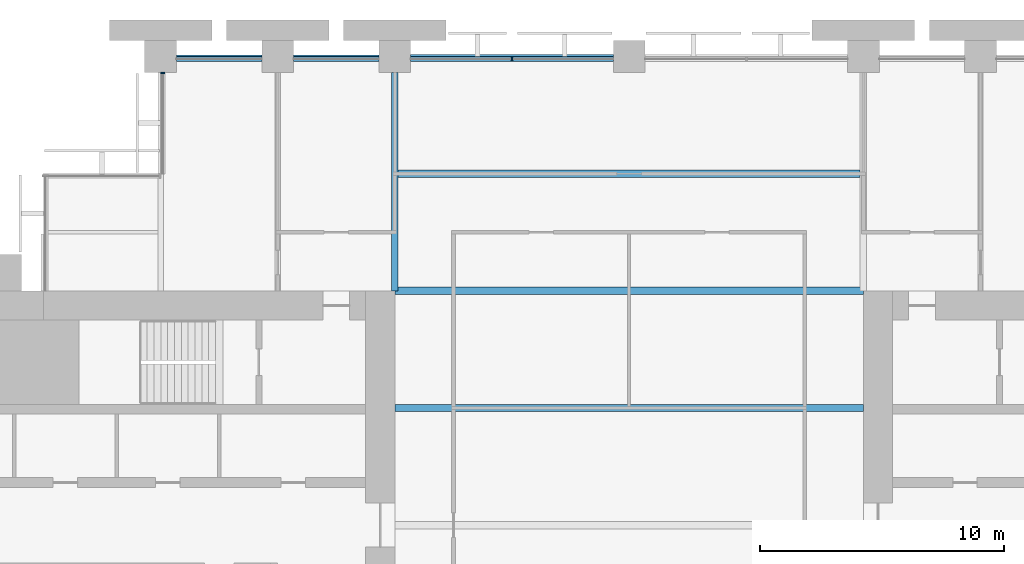
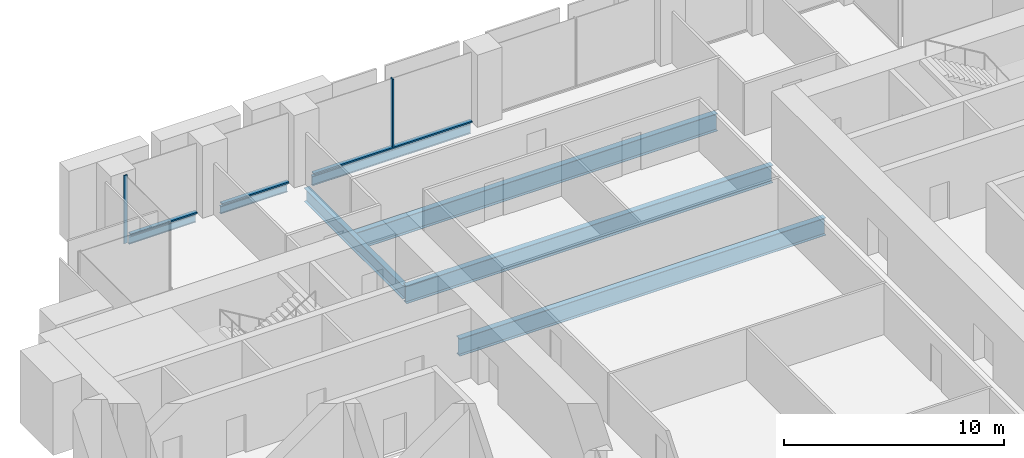
# One storey, part 6 of 14: 7 beams, 5 members, 2 elements without a shape of their own.
"""IFC4 building model written with IfcOpenShell, lengths in metres."""

import ifcopenshell
import ifcopenshell.guid

model = None  # the IFC model being written
_history = None  # IfcOwnerHistory: only IFC2X3 demands one
_inside = {}  # id of a spatial element -> (the spatial element, [elements in it])
_under = {}  # id of a project, library or spatial element -> (it, [spatial elements below it])
_declared = {}  # id of a project -> (the project, [libraries it declares])
_typed = {}  # id of a type object -> (the type object, [elements of that type])
_made_of = {}  # id of a material, layer set ... -> (it, [elements and type objects made of it])


def new_model(schema):
    """Start an empty IFC model of exactly this schema.

    Asked for "IFC4X3", IfcOpenShell would pick the latest addendum, in which some entities
    have other attributes; the version numbers below select the first issue.
    IFC2X3 requires an IfcOwnerHistory on every rooted entity: one is made here for all.
    """
    global model, _history
    if schema == "IFC4X3":
        model = ifcopenshell.file(schema_version=(4, 3, 0, 0))
    else:
        model = ifcopenshell.file(schema=schema)
    _inside.clear()
    _under.clear()
    _declared.clear()
    _typed.clear()
    _made_of.clear()
    _history = None
    if model.schema == "IFC2X3":
        org = make("IfcOrganization", Name="unknown")
        user = make(
            "IfcPersonAndOrganization",
            ThePerson=make("IfcPerson", FamilyName="unknown"),
            TheOrganization=org,
        )
        app = make(
            "IfcApplication",
            ApplicationDeveloper=org,
            Version="unknown",
            ApplicationFullName="unknown",
            ApplicationIdentifier="unknown",
        )
        _history = make(
            "IfcOwnerHistory",
            OwningUser=user,
            OwningApplication=app,
            ChangeAction="ADDED",
            CreationDate=0,
        )
    return model


def make(cls, **values):
    """One entity of the class cls with the attributes given. An attribute that is None is left unset."""
    return model.create_entity(
        cls, **{name: value for name, value in values.items() if value is not None}
    )


def rooted(cls, **values):
    """An entity with a GlobalId (a new one), such as an element, a storey or a relation."""
    return make(cls, GlobalId=ifcopenshell.guid.new(), OwnerHistory=_history, **values)


def si_unit(unit_type, name, prefix=None):
    """IfcSIUnit, for example si_unit("LENGTHUNIT", "METRE", prefix="MILLI")."""
    return make("IfcSIUnit", UnitType=unit_type, Prefix=prefix, Name=name)


def assignment(units):
    """IfcUnitAssignment: the units of a project."""
    return None if units is None else make("IfcUnitAssignment", Units=units)


def point(xyz):
    """IfcCartesianPoint."""
    return None if xyz is None else make("IfcCartesianPoint", Coordinates=xyz)


def direction(xyz):
    """IfcDirection."""
    return None if xyz is None else make("IfcDirection", DirectionRatios=xyz)


def frame(location, z_axis=None, x_axis=None):
    """IfcAxis2Placement3D, a coordinate frame: its origin and axes. An axis left out is left unset."""
    return make(
        "IfcAxis2Placement3D",
        Location=point(location),
        Axis=direction(z_axis),
        RefDirection=direction(x_axis),
    )


def frame_2d(location, x_axis=None):
    """IfcAxis2Placement2D, a coordinate frame in the plane: its origin and x axis."""
    return make(
        "IfcAxis2Placement2D", Location=point(location), RefDirection=direction(x_axis)
    )


def origin():
    """The frame at (0, 0, 0) with its axes left unset."""
    return frame((0.0, 0.0, 0.0))


def origin_2d():
    """The frame at (0, 0) in the plane with its x axis left unset."""
    return frame_2d((0.0, 0.0))


def place(relative_to, where):
    """IfcLocalPlacement: puts the frame where relative to a parent placement (None: the world)."""
    return make(
        "IfcLocalPlacement", PlacementRelTo=relative_to, RelativePlacement=where
    )


def context(
    kind, dimensions, precision=None, world=None, true_north=None, identifier=None
):
    """IfcGeometricRepresentationContext, for example the 3D "Model" context."""
    return make(
        "IfcGeometricRepresentationContext",
        ContextIdentifier=identifier,
        ContextType=kind,
        CoordinateSpaceDimension=dimensions,
        Precision=precision,
        WorldCoordinateSystem=world,
        TrueNorth=true_north,
    )


def subcontext(parent, identifier, kind, view, scale=None):
    """IfcGeometricRepresentationSubContext, for example "Body" below "Model"."""
    return make(
        "IfcGeometricRepresentationSubContext",
        ContextIdentifier=identifier,
        ContextType=kind,
        ParentContext=parent,
        TargetScale=scale,
        TargetView=view,
    )


def project(units=None, contexts=None):
    """IfcProject with its units and contexts."""
    return rooted(
        "IfcProject",
        Name="project",
        RepresentationContexts=contexts,
        UnitsInContext=assignment(units),
    )


def spatial(cls, under=None, at=None, **own):
    """A site, building, storey or space (cls), placed at a placement, below another one or the project."""
    s = rooted(cls, ObjectPlacement=at, **own)
    if under is not None:
        _under.setdefault(under.id(), (under, []))[1].append(s)
    return s


def profile(cls, at=None, kind="AREA", **sizes):
    """A parametric profile (cls). Its sizes go by their IFC names, for example OverallWidth=200.0."""
    return make(cls, ProfileType=kind, Position=at, **sizes)


def rectangle(**sizes):
    """IfcRectangleProfileDef."""
    return profile("IfcRectangleProfileDef", **sizes)


def i_section(**sizes):
    """IfcIShapeProfileDef."""
    return profile("IfcIShapeProfileDef", **sizes)


def extrude(swept, where, along, depth):
    """IfcExtrudedAreaSolid: the profile swept, set in the frame where, extruded along a direction by depth."""
    return make(
        "IfcExtrudedAreaSolid",
        SweptArea=swept,
        Position=where,
        ExtrudedDirection=direction(along),
        Depth=depth,
    )


def shape(context_of_items, identifier, shape_type, items):
    """IfcShapeRepresentation: the items that make up one representation, for example the "Body"."""
    return make(
        "IfcShapeRepresentation",
        ContextOfItems=context_of_items,
        RepresentationIdentifier=identifier,
        RepresentationType=shape_type,
        Items=items,
    )


def material(Name=None, Category=None):
    """IfcMaterial."""
    return make("IfcMaterial", Name=Name, Category=Category)


def material_profile(
    of_material, cross_section, Name=None, Category=None, Priority=None
):
    """IfcMaterialProfile: a cross section and its material."""
    return make(
        "IfcMaterialProfile",
        Name=Name,
        Material=of_material,
        Profile=cross_section,
        Priority=Priority,
        Category=Category,
    )


def profile_set(profiles, Name=None, composite=None):
    """IfcMaterialProfileSet."""
    return make(
        "IfcMaterialProfileSet",
        Name=Name,
        MaterialProfiles=profiles,
        CompositeProfile=composite,
    )


def made_of(thing, what):
    """Note that an element or type object is made of a material, layer set ...; save() writes the relation."""
    if what is not None:
        _made_of.setdefault(what.id(), (what, []))[1].append(thing)
    return thing


def type_object(cls, material=None, **own):
    """A type object (cls), such as IfcWallType, which elements share."""
    return made_of(rooted(cls, **own), material)


def element(
    cls,
    number,
    at=None,
    inside=None,
    cuts=None,
    type_object=None,
    material=None,
    context=None,
    identifier="Body",
    shape_type=None,
    held_by="IfcProductDefinitionShape",
    body=None,
    shapes=None,
    **own,
):
    """One element of the class cls, such as IfcWall. Its Tag is "e" and its number.

    at: its placement. inside: the storey or other place that contains it. cuts: it is an
    opening in that element (IfcRelVoidsElement). A single representation is given by context,
    identifier, shape_type and body (its items); several are given by shapes. held_by: the class
    of the entity that holds the representations. save() writes the other relations.
    """
    e = rooted(cls, Tag="e%d" % number, ObjectPlacement=at, **own)
    if body is not None:
        shapes = [shape(context, identifier, shape_type, body)]
    if shapes is not None:
        e.Representation = make(held_by, Representations=shapes)
    if inside is not None:
        _inside.setdefault(inside.id(), (inside, []))[1].append(e)
    if cuts is not None:
        rooted(
            "IfcRelVoidsElement", RelatingBuildingElement=cuts, RelatedOpeningElement=e
        )
    if type_object is not None:
        _typed.setdefault(type_object.id(), (type_object, []))[1].append(e)
    return made_of(e, material)


def aggregate(whole, parts):
    """IfcRelAggregates: a whole, such as a stair, and the parts it consists of."""
    return rooted("IfcRelAggregates", RelatingObject=whole, RelatedObjects=parts)


def save(model, path):
    """Write the relations noted so far, then the file.

    IfcRelAggregates (storeys below a building ...), IfcRelContainedInSpatialStructure (elements
    in a storey), IfcRelDefinesByType, IfcRelAssociatesMaterial and IfcRelDeclares: one each for
    every whole, place, type object, material and project.
    """
    for whole, parts in _under.values():
        aggregate(whole, parts)
    for where, things in _inside.values():
        rooted(
            "IfcRelContainedInSpatialStructure",
            RelatedElements=things,
            RelatingStructure=where,
        )
    for kind, things in _typed.values():
        rooted("IfcRelDefinesByType", RelatedObjects=things, RelatingType=kind)
    for what, things in _made_of.values():
        rooted("IfcRelAssociatesMaterial", RelatedObjects=things, RelatingMaterial=what)
    for by, libraries in _declared.values():
        rooted("IfcRelDeclares", RelatingContext=by, RelatedDefinitions=libraries)
    model.write(path)


model = new_model("IFC4")

# Units and contexts
model_context = context("Model", 3, precision=1e-05, world=origin(), true_north=direction((0.0, 1.0)))
body_context = subcontext(model_context, "Body", "Model", "MODEL_VIEW")
ifc_project = project(units=[si_unit("LENGTHUNIT", "METRE"), si_unit("AREAUNIT", "SQUARE_METRE"), si_unit("VOLUMEUNIT", "CUBIC_METRE"), si_unit("PLANEANGLEUNIT", "RADIAN"), si_unit("MASSUNIT", "GRAM", prefix="KILO")], contexts=[model_context])

# Site, building, storey
site_placement = place(None, origin())
site = spatial("IfcSite", under=ifc_project, at=site_placement, CompositionType="ELEMENT")
building_placement = place(site_placement, origin())
building = spatial("IfcBuilding", under=site, at=building_placement, Name="Baori Bourse Tower", CompositionType="ELEMENT")
storey_placement = place(building_placement, frame((0.0, 0.0, 43.0)))
storey = spatial("IfcBuildingStorey", under=building, at=storey_placement, Name="L08", CompositionType="ELEMENT", Elevation=43.0)

# Curtain wall, members
ifc_material_1 = material(Name="Pale anodised aluminium", Category="aluminium")
curtain_wall_type_1 = type_object("IfcCurtainWallType", Name="CW1 Curtain wall", PredefinedType="NOTDEFINED", material=ifc_material_1)
curtain_wall_1_placement = place(storey_placement, origin())
curtain_wall_1 = element("IfcCurtainWall", 1, at=curtain_wall_1_placement, inside=storey, type_object=curtain_wall_type_1, Name="Curtain wall CW1 L08 4", PredefinedType="NOTDEFINED")
ifc_material_2 = material(Name="Pale anodised aluminium", Category="aluminium")
ifc_material_profile_1 = material_profile(ifc_material_2, rectangle(XDim=0.199951171875, YDim=0.06005859375, at=origin_2d()), Name="Mullion 60x200")
ifc_profile_set_1 = profile_set([ifc_material_profile_1], Name="Pale anodised aluminium")
member_type_1 = type_object("IfcMemberType", Name="CW1 Curtain wall mullion", PredefinedType="MULLION", material=ifc_profile_set_1)
member_1_placement = place(storey_placement, frame((24.0, 47.89990234375, 0.080078125), z_axis=(0.0, 0.0, 1.0), x_axis=(0.0, -1.0, 0.0)))
member_1 = element("IfcMember", 2, at=member_1_placement, type_object=member_type_1, Name="Curtain wall CW1 mullion", PredefinedType="MULLION", context=body_context, shape_type="SweptSolid", body=[
    extrude(rectangle(XDim=0.199951171875, YDim=0.06005859375, at=origin_2d()), origin(), (0.0, 0.0, 1.0), 3.760009765625),
])
ifc_material_3 = material(Name="Pale anodised aluminium", Category="aluminium")
ifc_material_profile_2 = material_profile(ifc_material_3, rectangle(XDim=0.199951171875, YDim=0.080078125, at=origin_2d()), Name="Transom 80x200")
ifc_profile_set_2 = profile_set([ifc_material_profile_2], Name="Pale anodised aluminium")
member_type_2 = type_object("IfcMemberType", Name="CW1 Curtain wall transom", PredefinedType="USERDEFINED", material=ifc_profile_set_2)
member_2_placement = place(storey_placement, frame((28.14990234375, 47.89990234375, 0.0400390625), z_axis=(-1.0, 0.0, 0.0), x_axis=(0.0, -1.0, 0.0)))
member_2 = element("IfcMember", 3, at=member_2_placement, type_object=member_type_2, Name="Curtain wall CW1 sill rail", ObjectType="TRANSOM", PredefinedType="USERDEFINED", context=body_context, shape_type="SweptSolid", body=[
    extrude(rectangle(XDim=0.199951171875, YDim=0.080078125, at=origin_2d()), origin(), (0.0, 0.0, 1.0), 8.2998046875),
])
member_3_placement = place(storey_placement, frame((18.550048828125, 47.89990234375, 0.0400390625), z_axis=(-1.0, 0.0, 0.0), x_axis=(0.0, -1.0, 0.0)))
member_3 = element("IfcMember", 4, at=member_3_placement, type_object=member_type_2, Name="Curtain wall CW1 sill rail", ObjectType="TRANSOM", PredefinedType="USERDEFINED", context=body_context, shape_type="SweptSolid", body=[
    extrude(rectangle(XDim=0.199951171875, YDim=0.080078125, at=origin_2d()), origin(), (0.0, 0.0, 1.0), 3.5),
])
member_4_placement = place(storey_placement, frame((13.75, 47.89990234375, 0.0400390625), z_axis=(-1.0, 0.0, 0.0), x_axis=(0.0, -1.0, 0.0)))
member_4 = element("IfcMember", 5, at=member_4_placement, type_object=member_type_2, Name="Curtain wall CW1 sill rail", ObjectType="TRANSOM", PredefinedType="USERDEFINED", context=body_context, shape_type="SweptSolid", body=[
    extrude(rectangle(XDim=0.199951171875, YDim=0.080078125, at=origin_2d()), origin(), (0.0, 0.0, 1.0), 3.5),
])
aggregate(curtain_wall_1, [member_2, member_1, member_3, member_4])

# Curtain wall, member
ifc_material_4 = material(Name="Pale anodised aluminium", Category="aluminium")
curtain_wall_type_2 = type_object("IfcCurtainWallType", Name="CW2 Curtain wall", PredefinedType="NOTDEFINED", material=ifc_material_4)
curtain_wall_2_placement = place(storey_placement, origin())
curtain_wall_2 = element("IfcCurtainWall", 6, at=curtain_wall_2_placement, inside=storey, type_object=curtain_wall_type_2, Name="Curtain wall CW2 L08 5", PredefinedType="NOTDEFINED")
ifc_material_5 = material(Name="Pale anodised aluminium", Category="aluminium")
ifc_material_profile_3 = material_profile(ifc_material_5, rectangle(XDim=0.179931640625, YDim=0.054931640625, at=origin_2d()), Name="Mullion 55x180")
ifc_profile_set_3 = profile_set([ifc_material_profile_3], Name="Pale anodised aluminium")
member_type_3 = type_object("IfcMemberType", Name="CW2 Curtain wall mullion", PredefinedType="MULLION", material=ifc_profile_set_3)
member_5_placement = place(storey_placement, frame((9.68994140625, 47.322509765625, 0.070068359375), z_axis=(0.0, 0.0, 1.0), x_axis=(1.0, 0.0, 0.0)))
member_5 = element("IfcMember", 7, at=member_5_placement, type_object=member_type_3, Name="Curtain wall CW2 mullion", PredefinedType="MULLION", context=body_context, shape_type="SweptSolid", body=[
    extrude(rectangle(XDim=0.179931640625, YDim=0.054931640625, at=origin_2d()), origin(), (0.0, 0.0, 1.0), 3.77001953125),
])
aggregate(curtain_wall_2, [member_5])

# Beams
ifc_material_6 = material(Name="Steel A992 Gr 50", Category="steel")
ifc_material_profile_4 = material_profile(ifc_material_6, i_section(OverallWidth=0.140380859375, OverallDepth=0.40380859375, WebThickness=0.007080078125, FlangeThickness=0.01123046875, at=origin_2d()), Name="W16x31")
ifc_profile_set_4 = profile_set([ifc_material_profile_4], Name="Steel A992 Gr 50")
beam_type_1 = type_object("IfcBeamType", Name="Edge beam W16x31", PredefinedType="BEAM", material=ifc_profile_set_4)
for number, where, z_axis, x_axis, name in (
    (8, (10.25, 48.0, -0.36181640625), (1.0, 0.0, 0.0), (0.0, 1.0, 0.0), "Edge beam L08"),
    (9, (15.050048828125, 48.0, -0.36181640625), (1.0, 0.0, 0.0), (0.0, 1.0, 0.0), "Edge beam L08"),
):
    element("IfcBeam", number, at=place(storey_placement, frame(where, z_axis=z_axis, x_axis=x_axis)), inside=storey, type_object=beam_type_1, Name=name, PredefinedType="BEAM", context=body_context, shape_type="SweptSolid", body=[
        extrude(i_section(OverallWidth=0.140380859375, OverallDepth=0.40380859375, WebThickness=0.007080078125, FlangeThickness=0.01123046875, at=origin_2d()), origin(), (0.0, 0.0, 1.0), 3.5),
    ])
ifc_material_7 = material(Name="Steel A992 Gr 50", Category="steel")
ifc_material_profile_5 = material_profile(ifc_material_7, i_section(OverallWidth=0.1650390625, OverallDepth=0.52587890625, WebThickness=0.0087890625, FlangeThickness=0.011474609375, at=origin_2d()), Name="W21x44")
ifc_profile_set_5 = profile_set([ifc_material_profile_5], Name="Steel A992 Gr 50")
beam_type_2 = type_object("IfcBeamType", Name="Edge beam W21x44", PredefinedType="BEAM", material=ifc_profile_set_5)
beam_1_placement = place(storey_placement, frame((19.85009765625, 48.0, -0.4228515625), z_axis=(1.0, 0.0, 0.0), x_axis=(0.0, 1.0, 0.0)))
element("IfcBeam", 10, at=beam_1_placement, inside=storey, type_object=beam_type_2, Name="Edge beam L08", PredefinedType="BEAM", context=body_context, shape_type="SweptSolid", body=[
    extrude(i_section(OverallWidth=0.1650390625, OverallDepth=0.52587890625, WebThickness=0.0087890625, FlangeThickness=0.011474609375, at=origin_2d()), origin(), (0.0, 0.0, 1.0), 8.2998046875),
])
ifc_material_8 = material(Name="Steel A992 Gr 50", Category="steel")
ifc_material_profile_6 = material_profile(ifc_material_8, i_section(OverallWidth=0.2998046875, OverallDepth=0.97021484375, WebThickness=0.01611328125, FlangeThickness=0.02099609375, at=origin_2d()), Name="W40x149")
ifc_profile_set_6 = profile_set([ifc_material_profile_6], Name="Steel A992 Gr 50")
beam_type_3 = type_object("IfcBeamType", Name="Floor beam W40x149", PredefinedType="BEAM", material=ifc_profile_set_6)
for number, where, z_axis, x_axis, name in (
    (11, (19.199951171875, 33.60009765625, -0.64501953125), (1.0, 0.0, 0.0), (0.0, 1.0, 0.0), "Floor beam L08"),
    (12, (19.199951171875, 38.39990234375, -0.64501953125), (1.0, 0.0, 0.0), (0.0, 1.0, 0.0), "Floor beam L08"),
):
    element("IfcBeam", number, at=place(storey_placement, frame(where, z_axis=z_axis, x_axis=x_axis)), inside=storey, type_object=beam_type_3, Name=name, PredefinedType="BEAM", context=body_context, shape_type="SweptSolid", body=[
        extrude(i_section(OverallWidth=0.2998046875, OverallDepth=0.97021484375, WebThickness=0.01611328125, FlangeThickness=0.02099609375, at=origin_2d()), origin(), (0.0, 0.0, 1.0), 19.199951171875),
    ])
beam_2_placement = place(storey_placement, frame((19.333251953125, 43.199951171875, -0.64501953125), z_axis=(1.0, 0.0, 0.0), x_axis=(0.0, 1.0, 0.0)))
element("IfcBeam", 13, at=beam_2_placement, inside=storey, type_object=beam_type_3, Name="Floor beam L08", PredefinedType="BEAM", context=body_context, shape_type="SweptSolid", body=[
    extrude(i_section(OverallWidth=0.2998046875, OverallDepth=0.97021484375, WebThickness=0.01611328125, FlangeThickness=0.02099609375, at=origin_2d()), origin(), (0.0, 0.0, 1.0), 18.933349609375),
])
ifc_material_9 = material(Name="Steel A992 Gr 50", Category="steel")
ifc_material_profile_7 = material_profile(ifc_material_9, i_section(OverallWidth=0.2666015625, OverallDepth=0.7568359375, WebThickness=0.013916015625, FlangeThickness=0.019287109375, at=origin_2d()), Name="W30x108")
ifc_profile_set_7 = profile_set([ifc_material_profile_7], Name="Steel A992 Gr 50")
beam_type_4 = type_object("IfcBeamType", Name="Girder W30x108", PredefinedType="BEAM", material=ifc_profile_set_7)
beam_3_placement = place(storey_placement, frame((19.199951171875, 38.39990234375, -0.53857421875), z_axis=(0.0, 1.0, 0.0), x_axis=(-1.0, 0.0, 0.0)))
element("IfcBeam", 14, at=beam_3_placement, inside=storey, type_object=beam_type_4, Name="Girder L08", PredefinedType="BEAM", context=body_context, shape_type="SweptSolid", body=[
    extrude(i_section(OverallWidth=0.2666015625, OverallDepth=0.7568359375, WebThickness=0.013916015625, FlangeThickness=0.019287109375, at=origin_2d()), origin(), (0.0, 0.0, 1.0), 8.9501953125),
])

save(model, "model.ifc")
